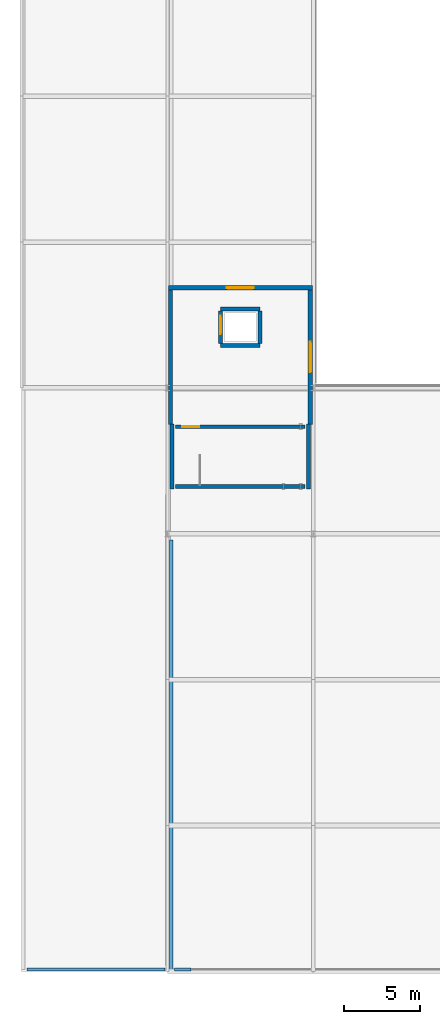
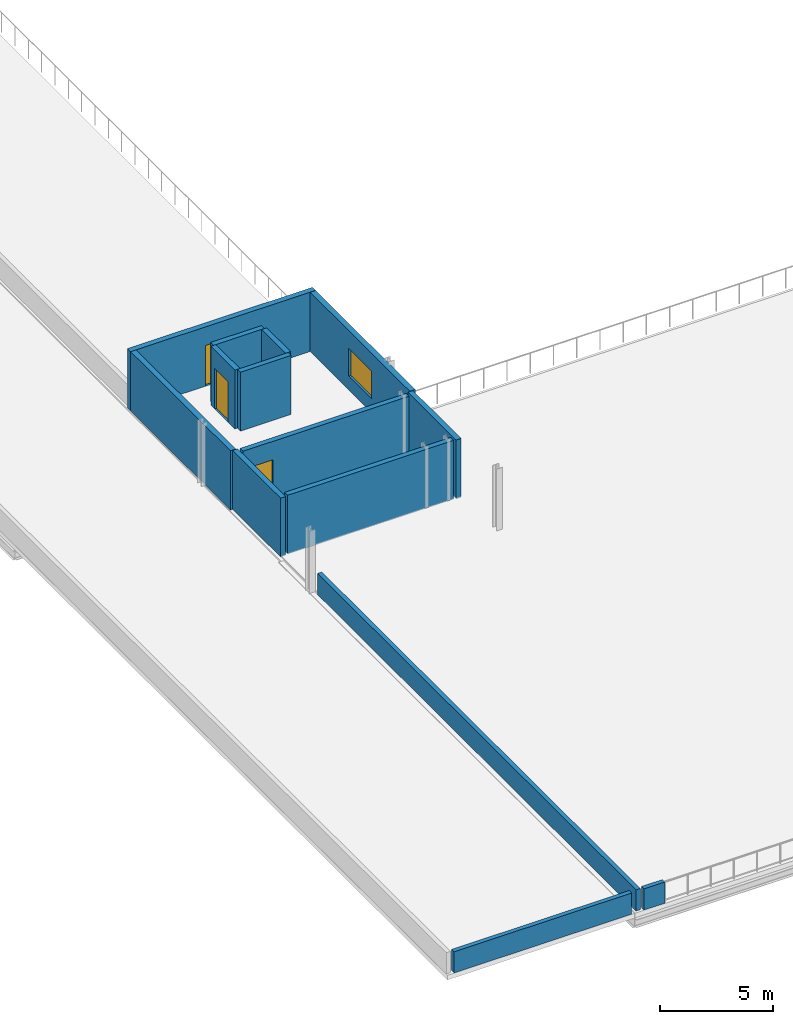
# One storey, part 28 of 53: 14 walls, 3 doors, 1 window, 4 openings.
"""IFC4 building model written with IfcOpenShell, lengths in metres."""

import ifcopenshell
import ifcopenshell.guid

model = None  # the IFC model being written
_history = None  # IfcOwnerHistory: only IFC2X3 demands one
_inside = {}  # id of a spatial element -> (the spatial element, [elements in it])
_under = {}  # id of a project, library or spatial element -> (it, [spatial elements below it])
_declared = {}  # id of a project -> (the project, [libraries it declares])
_typed = {}  # id of a type object -> (the type object, [elements of that type])
_made_of = {}  # id of a material, layer set ... -> (it, [elements and type objects made of it])


def new_model(schema):
    """Start an empty IFC model of exactly this schema.

    Asked for "IFC4X3", IfcOpenShell would pick the latest addendum, in which some entities
    have other attributes; the version numbers below select the first issue.
    IFC2X3 requires an IfcOwnerHistory on every rooted entity: one is made here for all.
    """
    global model, _history
    if schema == "IFC4X3":
        model = ifcopenshell.file(schema_version=(4, 3, 0, 0))
    else:
        model = ifcopenshell.file(schema=schema)
    _inside.clear()
    _under.clear()
    _declared.clear()
    _typed.clear()
    _made_of.clear()
    _history = None
    if model.schema == "IFC2X3":
        org = make("IfcOrganization", Name="unknown")
        user = make(
            "IfcPersonAndOrganization",
            ThePerson=make("IfcPerson", FamilyName="unknown"),
            TheOrganization=org,
        )
        app = make(
            "IfcApplication",
            ApplicationDeveloper=org,
            Version="unknown",
            ApplicationFullName="unknown",
            ApplicationIdentifier="unknown",
        )
        _history = make(
            "IfcOwnerHistory",
            OwningUser=user,
            OwningApplication=app,
            ChangeAction="ADDED",
            CreationDate=0,
        )
    return model


def make(cls, **values):
    """One entity of the class cls with the attributes given. An attribute that is None is left unset."""
    return model.create_entity(
        cls, **{name: value for name, value in values.items() if value is not None}
    )


def rooted(cls, **values):
    """An entity with a GlobalId (a new one), such as an element, a storey or a relation."""
    return make(cls, GlobalId=ifcopenshell.guid.new(), OwnerHistory=_history, **values)


def si_unit(unit_type, name, prefix=None):
    """IfcSIUnit, for example si_unit("LENGTHUNIT", "METRE", prefix="MILLI")."""
    return make("IfcSIUnit", UnitType=unit_type, Prefix=prefix, Name=name)


def assignment(units):
    """IfcUnitAssignment: the units of a project."""
    return None if units is None else make("IfcUnitAssignment", Units=units)


def point(xyz):
    """IfcCartesianPoint."""
    return None if xyz is None else make("IfcCartesianPoint", Coordinates=xyz)


def direction(xyz):
    """IfcDirection."""
    return None if xyz is None else make("IfcDirection", DirectionRatios=xyz)


def frame(location, z_axis=None, x_axis=None):
    """IfcAxis2Placement3D, a coordinate frame: its origin and axes. An axis left out is left unset."""
    return make(
        "IfcAxis2Placement3D",
        Location=point(location),
        Axis=direction(z_axis),
        RefDirection=direction(x_axis),
    )


def frame_2d(location, x_axis=None):
    """IfcAxis2Placement2D, a coordinate frame in the plane: its origin and x axis."""
    return make(
        "IfcAxis2Placement2D", Location=point(location), RefDirection=direction(x_axis)
    )


def origin():
    """The frame at (0, 0, 0) with its axes left unset."""
    return frame((0.0, 0.0, 0.0))


def place(relative_to, where):
    """IfcLocalPlacement: puts the frame where relative to a parent placement (None: the world)."""
    return make(
        "IfcLocalPlacement", PlacementRelTo=relative_to, RelativePlacement=where
    )


def context(
    kind, dimensions, precision=None, world=None, true_north=None, identifier=None
):
    """IfcGeometricRepresentationContext, for example the 3D "Model" context."""
    return make(
        "IfcGeometricRepresentationContext",
        ContextIdentifier=identifier,
        ContextType=kind,
        CoordinateSpaceDimension=dimensions,
        Precision=precision,
        WorldCoordinateSystem=world,
        TrueNorth=true_north,
    )


def subcontext(parent, identifier, kind, view, scale=None):
    """IfcGeometricRepresentationSubContext, for example "Body" below "Model"."""
    return make(
        "IfcGeometricRepresentationSubContext",
        ContextIdentifier=identifier,
        ContextType=kind,
        ParentContext=parent,
        TargetScale=scale,
        TargetView=view,
    )


def project(units=None, contexts=None):
    """IfcProject with its units and contexts."""
    return rooted(
        "IfcProject",
        Name="project",
        RepresentationContexts=contexts,
        UnitsInContext=assignment(units),
    )


def spatial(cls, under=None, at=None, **own):
    """A site, building, storey or space (cls), placed at a placement, below another one or the project."""
    s = rooted(cls, ObjectPlacement=at, **own)
    if under is not None:
        _under.setdefault(under.id(), (under, []))[1].append(s)
    return s


def profile(cls, at=None, kind="AREA", **sizes):
    """A parametric profile (cls). Its sizes go by their IFC names, for example OverallWidth=200.0."""
    return make(cls, ProfileType=kind, Position=at, **sizes)


def rectangle(**sizes):
    """IfcRectangleProfileDef."""
    return profile("IfcRectangleProfileDef", **sizes)


def extrude(swept, where, along, depth):
    """IfcExtrudedAreaSolid: the profile swept, set in the frame where, extruded along a direction by depth."""
    return make(
        "IfcExtrudedAreaSolid",
        SweptArea=swept,
        Position=where,
        ExtrudedDirection=direction(along),
        Depth=depth,
    )


def shape(context_of_items, identifier, shape_type, items):
    """IfcShapeRepresentation: the items that make up one representation, for example the "Body"."""
    return make(
        "IfcShapeRepresentation",
        ContextOfItems=context_of_items,
        RepresentationIdentifier=identifier,
        RepresentationType=shape_type,
        Items=items,
    )


def material(Name=None, Category=None):
    """IfcMaterial."""
    return make("IfcMaterial", Name=Name, Category=Category)


def layer(
    of_material, thickness, ventilated=None, Name=None, Category=None, Priority=None
):
    """IfcMaterialLayer: one layer of a wall or slab, of a material (None: an air gap)."""
    return make(
        "IfcMaterialLayer",
        Material=of_material,
        LayerThickness=thickness,
        IsVentilated=ventilated,
        Name=Name,
        Category=Category,
        Priority=Priority,
    )


def layer_set(layers, Name=None):
    """IfcMaterialLayerSet."""
    return make("IfcMaterialLayerSet", MaterialLayers=layers, LayerSetName=Name)


def made_of(thing, what):
    """Note that an element or type object is made of a material, layer set ...; save() writes the relation."""
    if what is not None:
        _made_of.setdefault(what.id(), (what, []))[1].append(thing)
    return thing


def type_object(cls, material=None, **own):
    """A type object (cls), such as IfcWallType, which elements share."""
    return made_of(rooted(cls, **own), material)


def element(
    cls,
    number,
    at=None,
    inside=None,
    cuts=None,
    type_object=None,
    material=None,
    context=None,
    identifier="Body",
    shape_type=None,
    held_by="IfcProductDefinitionShape",
    body=None,
    shapes=None,
    **own,
):
    """One element of the class cls, such as IfcWall. Its Tag is "e" and its number.

    at: its placement. inside: the storey or other place that contains it. cuts: it is an
    opening in that element (IfcRelVoidsElement). A single representation is given by context,
    identifier, shape_type and body (its items); several are given by shapes. held_by: the class
    of the entity that holds the representations. save() writes the other relations.
    """
    e = rooted(cls, Tag="e%d" % number, ObjectPlacement=at, **own)
    if body is not None:
        shapes = [shape(context, identifier, shape_type, body)]
    if shapes is not None:
        e.Representation = make(held_by, Representations=shapes)
    if inside is not None:
        _inside.setdefault(inside.id(), (inside, []))[1].append(e)
    if cuts is not None:
        rooted(
            "IfcRelVoidsElement", RelatingBuildingElement=cuts, RelatedOpeningElement=e
        )
    if type_object is not None:
        _typed.setdefault(type_object.id(), (type_object, []))[1].append(e)
    return made_of(e, material)


def fill(opening, filler):
    """IfcRelFillsElement: the door or window that sits in an opening."""
    return rooted(
        "IfcRelFillsElement",
        RelatingOpeningElement=opening,
        RelatedBuildingElement=filler,
    )


def aggregate(whole, parts):
    """IfcRelAggregates: a whole, such as a stair, and the parts it consists of."""
    return rooted("IfcRelAggregates", RelatingObject=whole, RelatedObjects=parts)


def save(model, path):
    """Write the relations noted so far, then the file.

    IfcRelAggregates (storeys below a building ...), IfcRelContainedInSpatialStructure (elements
    in a storey), IfcRelDefinesByType, IfcRelAssociatesMaterial and IfcRelDeclares: one each for
    every whole, place, type object, material and project.
    """
    for whole, parts in _under.values():
        aggregate(whole, parts)
    for where, things in _inside.values():
        rooted(
            "IfcRelContainedInSpatialStructure",
            RelatedElements=things,
            RelatingStructure=where,
        )
    for kind, things in _typed.values():
        rooted("IfcRelDefinesByType", RelatedObjects=things, RelatingType=kind)
    for what, things in _made_of.values():
        rooted("IfcRelAssociatesMaterial", RelatedObjects=things, RelatingMaterial=what)
    for by, libraries in _declared.values():
        rooted("IfcRelDeclares", RelatingContext=by, RelatedDefinitions=libraries)
    model.write(path)


model = new_model("IFC4")

# Units and contexts
model_context = context("Model", 3, precision=1e-05, world=origin(), true_north=direction((0.0, 1.0)))
body_context = subcontext(model_context, "Body", "Model", "MODEL_VIEW")
ifc_project = project(units=[si_unit("LENGTHUNIT", "METRE"), si_unit("AREAUNIT", "SQUARE_METRE"), si_unit("VOLUMEUNIT", "CUBIC_METRE"), si_unit("PLANEANGLEUNIT", "RADIAN"), si_unit("MASSUNIT", "GRAM", prefix="KILO")], contexts=[model_context])

# Site, building, storey
site_placement = place(None, origin())
site = spatial("IfcSite", under=ifc_project, at=site_placement, CompositionType="ELEMENT")
building_placement = place(site_placement, origin())
building = spatial("IfcBuilding", under=site, at=building_placement, Name="Zevrakil Square Congress Hotel", CompositionType="ELEMENT")
storey_placement = place(building_placement, frame((0.0, 0.0, 14.699951171875)))
storey = spatial("IfcBuildingStorey", under=building, at=storey_placement, Name="L04", CompositionType="ELEMENT", Elevation=14.699951171875)

# Wall, opening, door
ifc_material_1 = material(Name="Precast concrete C40/50", Category="concrete")
ifc_layer_1 = layer(ifc_material_1, 0.280029296875)
ifc_layer_set_1 = layer_set([ifc_layer_1], Name="Precast concrete C40/50")
wall_type_1 = type_object("IfcWallType", Name="WAL-EXT-PAV-280", PredefinedType="SOLIDWALL", material=ifc_layer_set_1)
wall_1_placement = place(storey_placement, frame((55.260009765625, 52.199951171875, 0.0), z_axis=(0.0, 0.0, 1.0), x_axis=(1.0, 0.0, 0.0)))
wall_1 = element("IfcWall", 1, at=wall_1_placement, inside=storey, type_object=wall_type_1, Name="L04 exterior GRC wall EW-L04-0117", PredefinedType="SOLIDWALL", context=body_context, shape_type="SweptSolid", body=[
    extrude(rectangle(XDim=9.47998046875, YDim=0.280029296875, at=frame_2d((4.739990234375, 0.0))), origin(), (0.0, 0.0, 1.0), 3.215087890625),
])
opening_1_placement = place(wall_1_placement, frame((3.840087890625, 0.0, 0.0)))
opening_1 = element("IfcOpeningElement", 2, at=opening_1_placement, cuts=wall_1, Name="Opening TD-01", PredefinedType="OPENING", context=body_context, shape_type="SweptSolid", body=[
    extrude(rectangle(XDim=1.800048828125, YDim=2.199951171875, at=frame_2d((0.89990234375, 1.10009765625))), frame((0.0, 0.14990234375, 0.0), z_axis=(0.0, -1.0, 0.0), x_axis=(1.0, 0.0, 0.0)), (0.0, 0.0, 1.0), 0.300048828125),
])
ifc_material_2 = material(Name="Aluminium Thermal-Break Glazed Door", Category="aluminium")
door_type_1 = type_object("IfcDoorType", Name="DOR-TERR-180", OperationType="NOTDEFINED", PredefinedType="DOOR", material=ifc_material_2)
door_1_placement = place(opening_1_placement, origin())
door_1 = element("IfcDoor", 3, at=door_1_placement, inside=storey, type_object=door_type_1, Name="L04 walkable roof garden terrace door", OperationType="DOUBLE_DOOR_SINGLE_SWING", OverallHeight=2.199951171875, OverallWidth=1.800048828125, PredefinedType="DOOR", context=body_context, shape_type="SweptSolid", body=[
    extrude(rectangle(XDim=1.800048828125, YDim=2.199951171875, at=frame_2d((0.89990234375, 1.10009765625))), frame((0.0, 0.02490234375, 0.0), z_axis=(0.0, -1.0, 0.0), x_axis=(1.0, 0.0, 0.0)), (0.0, 0.0, 1.0), 0.050048828125),
])
fill(opening_1, door_1)

# Wall
wall_2_placement = place(storey_placement, frame((55.39990234375, 43.205078125, 0.0), z_axis=(0.0, 0.0, 1.0), x_axis=(0.0, 1.0, 0.0)))
element("IfcWall", 4, at=wall_2_placement, inside=storey, type_object=wall_type_1, Name="L04 exterior GRC wall EW-L04-0118", PredefinedType="SOLIDWALL", context=body_context, shape_type="SweptSolid", body=[
    extrude(rectangle(XDim=8.849853515625, YDim=0.280029296875, at=frame_2d((4.4248046875, 0.0))), origin(), (0.0, 0.0, 1.0), 3.215087890625),
])

# Wall, opening, window
wall_3_placement = place(storey_placement, frame((64.60009765625, 43.205078125, 0.0), z_axis=(0.0, 0.0, 1.0), x_axis=(0.0, 1.0, 0.0)))
wall_3 = element("IfcWall", 5, at=wall_3_placement, inside=storey, type_object=wall_type_1, Name="L04 exterior GRC wall EW-L04-0119", PredefinedType="SOLIDWALL", context=body_context, shape_type="SweptSolid", body=[
    extrude(rectangle(XDim=8.849853515625, YDim=0.280029296875, at=frame_2d((4.4248046875, 0.0))), origin(), (0.0, 0.0, 1.0), 3.215087890625),
])
opening_2_placement = place(wall_3_placement, frame((3.425048828125, 0.0, 0.75)))
opening_2 = element("IfcOpeningElement", 6, at=opening_2_placement, cuts=wall_3, Name="Opening WN-11", PredefinedType="OPENING", context=body_context, shape_type="SweptSolid", body=[
    extrude(rectangle(XDim=2.0, YDim=1.5, at=frame_2d((1.0, 0.75))), frame((0.0, 0.14990234375, 0.0), z_axis=(0.0, -1.0, 0.0), x_axis=(1.0, 0.0, 0.0)), (0.0, 0.0, 1.0), 0.300048828125),
])
ifc_material_3 = material(Name="Low-E Solar Control Double Glazing", Category="glass")
window_type = type_object("IfcWindowType", Name="WIN-EXT-11", PartitioningType="SINGLE_PANEL", PredefinedType="WINDOW", material=ifc_material_3)
window_placement = place(opening_2_placement, origin())
window = element("IfcWindow", 7, at=window_placement, inside=storey, type_object=window_type, Name="L04 low-E solar window 99", OverallHeight=1.5, OverallWidth=2.0, PartitioningType="SINGLE_PANEL", PredefinedType="WINDOW", context=body_context, shape_type="SweptSolid", body=[
    extrude(rectangle(XDim=2.0, YDim=1.5, at=frame_2d((1.0, 0.75))), frame((0.0, 0.030029296875, 0.0), z_axis=(0.0, -1.0, 0.0), x_axis=(1.0, 0.0, 0.0)), (0.0, 0.0, 1.0), 0.06005859375),
])
fill(opening_2, window)

# Walls
ifc_material_4 = material(Name="Precast concrete C40/50", Category="concrete")
ifc_layer_2 = layer(ifc_material_4, 0.219970703125)
ifc_layer_set_2 = layer_set([ifc_layer_2], Name="Precast concrete C40/50")
wall_type_2 = type_object("IfcWallType", Name="WAL-PARAPET-220", PredefinedType="PARAPET", material=ifc_layer_set_2)
wall_4_placement = place(storey_placement, frame((45.949951171875, 7.320068359375, 0.0), z_axis=(0.0, 0.0, 1.0), x_axis=(1.0, 0.0, 0.0)))
element("IfcWall", 8, at=wall_4_placement, inside=storey, type_object=wall_type_2, Name="L04 west green roof perimeter parapet 3", PredefinedType="PARAPET", context=body_context, shape_type="SweptSolid", body=[
    extrude(rectangle(XDim=9.10009765625, YDim=0.219970703125, at=frame_2d((4.550048828125, 0.0))), origin(), (0.0, 0.0, 1.0), 1.150146484375),
])
wall_5_placement = place(storey_placement, frame((55.449951171875, 7.320068359375, 0.0), z_axis=(0.0, 0.0, 1.0), x_axis=(0.0, 1.0, 0.0)))
element("IfcWall", 9, at=wall_5_placement, inside=storey, type_object=wall_type_2, Name="L04 west green roof perimeter parapet 4", PredefinedType="PARAPET", context=body_context, shape_type="SweptSolid", body=[
    extrude(rectangle(XDim=28.280029296875, YDim=0.219970703125, at=frame_2d((14.14013671875, 0.0))), origin(), (0.0, 0.0, 1.0), 1.150146484375),
])
wall_6_placement = place(storey_placement, frame((55.679931640625, 7.320068359375, 0.0), z_axis=(0.0, 0.0, 1.0), x_axis=(1.0, 0.0, 0.0)))
element("IfcWall", 10, at=wall_6_placement, inside=storey, type_object=wall_type_2, Name="L04 west green roof perimeter parapet 7", PredefinedType="PARAPET", context=body_context, shape_type="SweptSolid", body=[
    extrude(rectangle(XDim=1.070068359375, YDim=0.219970703125, at=frame_2d((0.53515625, 0.0))), origin(), (0.0, 0.0, 1.0), 1.150146484375),
])
ifc_material_5 = material(Name="Concrete C40/50", Category="concrete")
ifc_layer_3 = layer(ifc_material_5, 0.260009765625)
ifc_layer_set_3 = layer_set([ifc_layer_3], Name="Concrete C40/50")
wall_type_3 = type_object("IfcWallType", Name="WAL-SHAFT-260", PredefinedType="SHEAR", material=ifc_layer_set_3)
for number, where, z_axis, x_axis, name in (
    (11, (55.5048828125, 38.93994140625, 0.0), (0.0, 0.0, 1.0), (0.0, 1.0, 0.0), "L04 ST04 stair shaft W wall"),
    (12, (64.4951171875, 38.93994140625, 0.0), (0.0, 0.0, 1.0), (0.0, 1.0, 0.0), "L04 ST04 stair shaft E wall"),
):
    element("IfcWall", number, at=place(storey_placement, frame(where, z_axis=z_axis, x_axis=x_axis)), inside=storey, type_object=wall_type_3, Name=name, PredefinedType="SHEAR", context=body_context, shape_type="SweptSolid", body=[
        extrude(rectangle(XDim=4.27001953125, YDim=0.260009765625, at=frame_2d((2.135009765625, 0.0))), origin(), (0.0, 0.0, 1.0), 3.195068359375),
    ])
wall_7_placement = place(storey_placement, frame((55.739990234375, 39.10498046875, 0.0), z_axis=(0.0, 0.0, 1.0), x_axis=(1.0, 0.0, 0.0)))
element("IfcWall", 13, at=wall_7_placement, inside=storey, type_object=wall_type_3, Name="L04 ST04 stair shaft S wall", PredefinedType="SHEAR", context=body_context, shape_type="SweptSolid", body=[
    extrude(rectangle(XDim=8.52001953125, YDim=0.260009765625, at=frame_2d((4.260009765625, 0.0))), origin(), (0.0, 0.0, 1.0), 3.195068359375),
])

# Wall, opening, door
wall_8_placement = place(storey_placement, frame((55.739990234375, 43.044921875, 0.0), z_axis=(0.0, 0.0, 1.0), x_axis=(1.0, 0.0, 0.0)))
wall_8 = element("IfcWall", 14, at=wall_8_placement, inside=storey, type_object=wall_type_3, Name="L04 ST04 stair shaft N wall", PredefinedType="SHEAR", context=body_context, shape_type="SweptSolid", body=[
    extrude(rectangle(XDim=8.52001953125, YDim=0.260009765625, at=frame_2d((4.260009765625, 0.0))), origin(), (0.0, 0.0, 1.0), 3.195068359375),
])
opening_3_placement = place(wall_8_placement, frame((0.449951171875, 0.0, 0.0)))
opening_3 = element("IfcOpeningElement", 15, at=opening_3_placement, cuts=wall_8, Name="Opening SD-ST04", PredefinedType="OPENING", context=body_context, shape_type="SweptSolid", body=[
    extrude(rectangle(XDim=1.10009765625, YDim=2.199951171875, at=frame_2d((0.550048828125, 1.10009765625))), frame((0.0, 0.14013671875, 0.0), z_axis=(0.0, -1.0, 0.0), x_axis=(1.0, 0.0, 0.0)), (0.0, 0.0, 1.0), 0.280029296875),
])
ifc_material_6 = material(Name="Steel S355 Fire-Rated Door", Category="steel")
door_type_2 = type_object("IfcDoorType", Name="DOR-STAIR-FD90-110", OperationType="NOTDEFINED", PredefinedType="DOOR", material=ifc_material_6)
door_2_placement = place(opening_3_placement, origin())
door_2 = element("IfcDoor", 16, at=door_2_placement, inside=storey, type_object=door_type_2, Name="L04 ST04 protected stair fire door", OperationType="SINGLE_SWING_LEFT", OverallHeight=2.199951171875, OverallWidth=1.10009765625, PredefinedType="DOOR", context=body_context, shape_type="SweptSolid", body=[
    extrude(rectangle(XDim=1.10009765625, YDim=2.199951171875, at=frame_2d((0.550048828125, 1.10009765625))), frame((0.0, 0.02490234375, 0.0), z_axis=(0.0, -1.0, 0.0), x_axis=(1.0, 0.0, 0.0)), (0.0, 0.0, 1.0), 0.050048828125),
])
fill(opening_3, door_2)

# Walls
for number, where, z_axis, x_axis, name in (
    (17, (58.699951171875, 48.39990234375, 0.0), (0.0, 0.0, 1.0), (1.0, 0.0, 0.0), "L04 CL3 lift shaft wall"),
    (18, (58.699951171875, 50.800048828125, 0.0), (0.0, 0.0, 1.0), (1.0, 0.0, 0.0), "L04 CL3 lift shaft wall"),
):
    element("IfcWall", number, at=place(storey_placement, frame(where, z_axis=z_axis, x_axis=x_axis)), inside=storey, type_object=wall_type_3, Name=name, PredefinedType="SHEAR", context=body_context, shape_type="SweptSolid", body=[
        extrude(rectangle(XDim=2.60009765625, YDim=0.260009765625, at=frame_2d((1.300048828125, 0.0))), origin(), (0.0, 0.0, 1.0), 3.195068359375),
    ])

# Wall, opening, door
wall_9_placement = place(storey_placement, frame((58.699951171875, 48.5400390625, 0.0), z_axis=(0.0, 0.0, 1.0), x_axis=(0.0, 1.0, 0.0)))
wall_9 = element("IfcWall", 19, at=wall_9_placement, inside=storey, type_object=wall_type_3, Name="L04 CL3 lift shaft wall", PredefinedType="SHEAR", context=body_context, shape_type="SweptSolid", body=[
    extrude(rectangle(XDim=2.119873046875, YDim=0.260009765625, at=frame_2d((1.06005859375, 0.0))), origin(), (0.0, 0.0, 1.0), 3.195068359375),
])
opening_4_placement = place(wall_9_placement, frame((0.60009765625, 0.0, 0.0)))
opening_4 = element("IfcOpeningElement", 20, at=opening_4_placement, cuts=wall_9, Name="Opening LD-CL3", PredefinedType="OPENING", context=body_context, shape_type="SweptSolid", body=[
    extrude(rectangle(XDim=1.199951171875, YDim=2.199951171875, at=frame_2d((0.60009765625, 1.10009765625))), frame((0.0, 0.14013671875, 0.0), z_axis=(0.0, -1.0, 0.0), x_axis=(1.0, 0.0, 0.0)), (0.0, 0.0, 1.0), 0.280029296875),
])
ifc_material_7 = material(Name="Stainless Steel Sliding Lift Landing Door", Category="steel")
door_type_3 = type_object("IfcDoorType", Name="DOR-LIFT-LD120", OperationType="NOTDEFINED", PredefinedType="DOOR", material=ifc_material_7)
door_3_placement = place(opening_4_placement, origin())
door_3 = element("IfcDoor", 21, at=door_3_placement, inside=storey, type_object=door_type_3, Name="L04 CL3 sliding lift landing door", OperationType="SLIDING_TO_RIGHT", OverallHeight=2.199951171875, OverallWidth=1.199951171875, PredefinedType="DOOR", context=body_context, shape_type="SweptSolid", body=[
    extrude(rectangle(XDim=1.199951171875, YDim=2.199951171875, at=frame_2d((0.60009765625, 1.10009765625))), frame((0.0, 0.02490234375, 0.0), z_axis=(0.0, -1.0, 0.0), x_axis=(1.0, 0.0, 0.0)), (0.0, 0.0, 1.0), 0.050048828125),
])
fill(opening_4, door_3)

# Wall
wall_10_placement = place(storey_placement, frame((61.300048828125, 48.5400390625, 0.0), z_axis=(0.0, 0.0, 1.0), x_axis=(0.0, 1.0, 0.0)))
element("IfcWall", 22, at=wall_10_placement, inside=storey, type_object=wall_type_3, Name="L04 CL3 lift shaft wall", PredefinedType="SHEAR", context=body_context, shape_type="SweptSolid", body=[
    extrude(rectangle(XDim=2.119873046875, YDim=0.260009765625, at=frame_2d((1.06005859375, 0.0))), origin(), (0.0, 0.0, 1.0), 3.195068359375),
])

save(model, "model.ifc")
